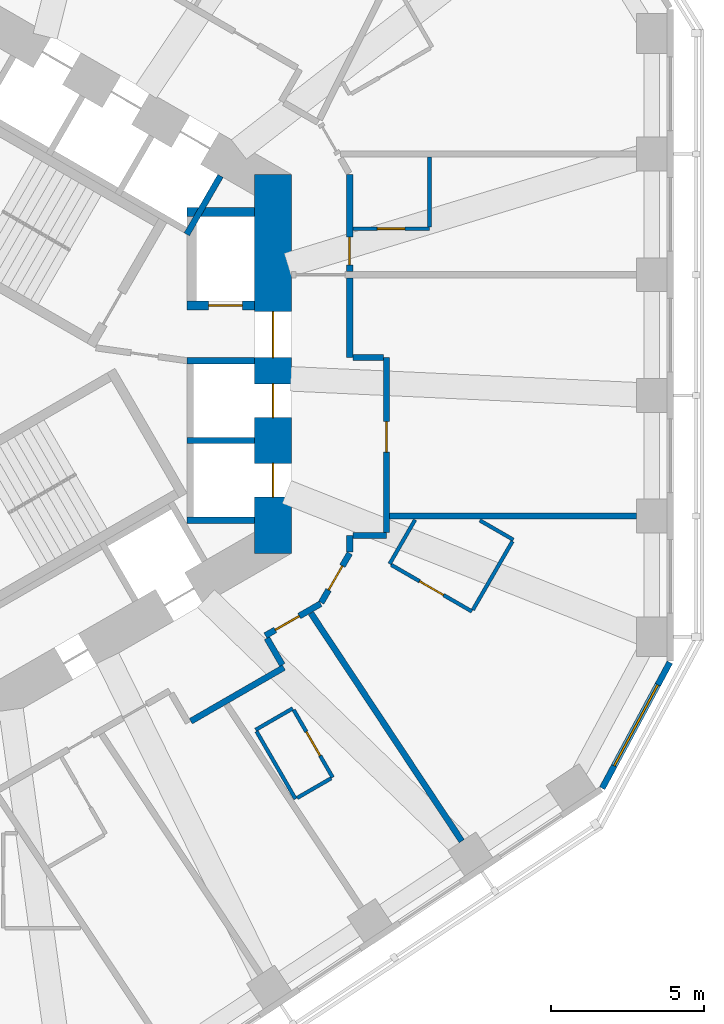
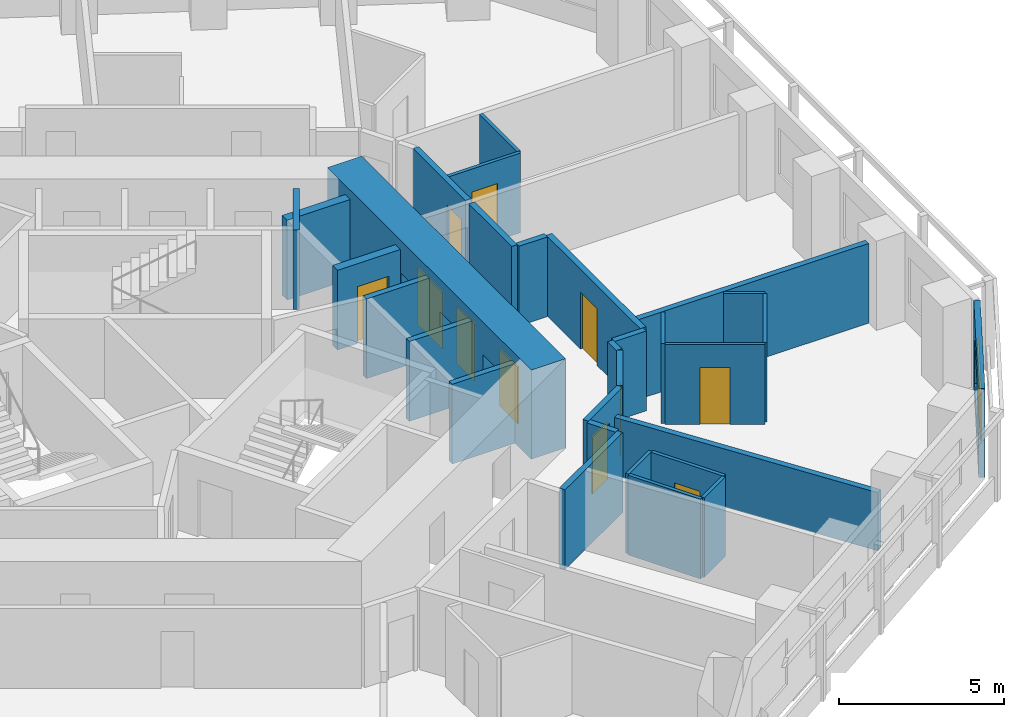
# One storey, part 6 of 12: 30 walls, 11 doors, 1 window, 12 openings.
"""IFC4 building model written with IfcOpenShell, lengths in metres."""

from ifc_helpers import new_model, si_unit, direction, frame, frame_2d, origin, place, context, subcontext, project, spatial, rectangle, extrude, material, layer, layer_set, type_object, element, fill, save


model = new_model("IFC4")

# Units and contexts
model_context = context("Model", 3, precision=1e-05, world=origin(), true_north=direction((0.0, 1.0)))
body_context = subcontext(model_context, "Body", "Model", "MODEL_VIEW")
ifc_project = project(units=[si_unit("LENGTHUNIT", "METRE"), si_unit("AREAUNIT", "SQUARE_METRE"), si_unit("VOLUMEUNIT", "CUBIC_METRE"), si_unit("PLANEANGLEUNIT", "RADIAN"), si_unit("MASSUNIT", "GRAM", prefix="KILO")], contexts=[model_context])

# Site, building, storey
site_placement = place(None, origin())
site = spatial("IfcSite", under=ifc_project, at=site_placement, CompositionType="ELEMENT")
building_placement = place(site_placement, origin())
building = spatial("IfcBuilding", under=site, at=building_placement, Name="Vanh Sen Convention Tower", CompositionType="ELEMENT")
storey_placement = place(building_placement, frame((0.0, 0.0, 116.60009765625)))
storey = spatial("IfcBuildingStorey", under=building, at=storey_placement, Name="L28", CompositionType="ELEMENT", Elevation=116.60009765625)

# Wall
ifc_material_1 = material(Name="Moisture-resistant gypsum board on steel studs", Category="steel")
ifc_layer_1 = layer(ifc_material_1, 0.1201171875)
ifc_layer_set_1 = layer_set([ifc_layer_1], Name="Moisture-resistant gypsum board on steel studs")
wall_type_1 = type_object("IfcWallType", Name="Bathroom partition 120", PredefinedType="PARTITIONING", material=ifc_layer_set_1)
wall_1_placement = place(storey_placement, frame((9.532470703125, -11.93359375, 0.0), z_axis=(0.0, 0.0, 1.0), x_axis=(0.866034573852, 0.49998411664, 0.0)))
element("IfcWall", 1, at=wall_1_placement, inside=storey, type_object=wall_type_1, Name="Bathroom partition 120", PredefinedType="PARTITIONING", context=body_context, shape_type="SweptSolid", body=[
    extrude(rectangle(XDim=1.39990234375, YDim=0.1201171875, at=frame_2d((0.699951171875, 0.0))), origin(), (0.0, 0.0, 1.0), 2.949951171875),
])

# Wall, opening, door
wall_2_placement = place(storey_placement, frame((10.77490234375, -11.28564453125, 0.0), z_axis=(0.0, 0.0, 1.0), x_axis=(0.500046963369, -0.865998287773, 0.0)))
wall_2 = element("IfcWall", 2, at=wall_2_placement, inside=storey, type_object=wall_type_1, Name="Bathroom partition 120", PredefinedType="PARTITIONING", context=body_context, shape_type="SweptSolid", body=[
    extrude(rectangle(XDim=2.539794921875, YDim=0.1201171875, at=frame_2d((1.27001953125, 0.0))), origin(), (0.0, 0.0, 1.0), 2.949951171875),
])
opening_1_placement = place(wall_2_placement, frame((0.820068359375, 0.0, 0.0)))
opening_1 = element("IfcOpeningElement", 3, at=opening_1_placement, cuts=wall_2, Name="Opening D27130", PredefinedType="OPENING", context=body_context, shape_type="SweptSolid", body=[
    extrude(rectangle(XDim=0.89990234375, YDim=2.10009765625, at=frame_2d((0.449951171875, 1.050048828125))), frame((0.0, 0.070068359375, 0.0), z_axis=(0.0, -1.0, 0.0), x_axis=(1.0, 0.0, 0.0)), (0.0, 0.0, 1.0), 0.14013671875),
])
ifc_material_2 = material(Name="Laminate door in steel frame", Category="steel")
door_type_1 = type_object("IfcDoorType", Name="En-suite door 900", OperationType="SINGLE_SWING_LEFT", PredefinedType="DOOR", material=ifc_material_2)
door_1_placement = place(opening_1_placement, origin())
door_1 = element("IfcDoor", 4, at=door_1_placement, inside=storey, type_object=door_type_1, Name="En-suite door D27130", OperationType="SINGLE_SWING_LEFT", OverallHeight=2.10009765625, OverallWidth=0.89990234375, PredefinedType="DOOR", context=body_context, shape_type="SweptSolid", body=[
    extrude(rectangle(XDim=0.89990234375, YDim=2.10009765625, at=frame_2d((0.449951171875, 1.050048828125))), frame((0.0, 0.02490234375, 0.0), z_axis=(0.0, -1.0, 0.0), x_axis=(1.0, 0.0, 0.0)), (0.0, 0.0, 1.0), 0.050048828125),
])
fill(opening_1, door_1)

# Walls
wall_3_placement = place(storey_placement, frame((10.83251953125, -14.185302734375, 0.0), z_axis=(0.0, 0.0, 1.0), x_axis=(-0.500005339912, 0.866022320763, 0.0)))
element("IfcWall", 5, at=wall_3_placement, inside=storey, type_object=wall_type_1, Name="Bathroom partition 120", PredefinedType="PARTITIONING", context=body_context, shape_type="SweptSolid", body=[
    extrude(rectangle(XDim=2.5400390625, YDim=0.1201171875, at=frame_2d((1.27001953125, 0.0))), origin(), (0.0, 0.0, 1.0), 2.949951171875),
])
wall_4_placement = place(storey_placement, frame((11.992919921875, -13.51513671875, 0.0), z_axis=(0.0, 0.0, 1.0), x_axis=(-0.865956862152, -0.500118698802, 0.0)))
element("IfcWall", 6, at=wall_4_placement, inside=storey, type_object=wall_type_1, Name="Bathroom partition 120", PredefinedType="PARTITIONING", context=body_context, shape_type="SweptSolid", body=[
    extrude(rectangle(XDim=1.280029296875, YDim=0.1201171875, at=frame_2d((0.64013671875, 0.0))), origin(), (0.0, 0.0, 1.0), 2.949951171875),
])
wall_5_placement = place(storey_placement, frame((13.90087890625, -6.5244140625, 0.0), z_axis=(0.0, 0.0, 1.0), x_axis=(0.499964162598, 0.86604609353, 0.0)))
element("IfcWall", 7, at=wall_5_placement, inside=storey, type_object=wall_type_1, Name="Bathroom partition 120", PredefinedType="PARTITIONING", context=body_context, shape_type="SweptSolid", body=[
    extrude(rectangle(XDim=1.6611328125, YDim=0.1201171875, at=frame_2d((0.83056640625, 0.0))), origin(), (0.0, 0.0, 1.0), 2.949951171875),
])

# Wall, opening, door
wall_6_placement = place(storey_placement, frame((15.199951171875, 4.404541015625, 0.0), z_axis=(0.0, 0.0, 1.0), x_axis=(-1.0, 0.0, 0.0)))
wall_6 = element("IfcWall", 8, at=wall_6_placement, inside=storey, type_object=wall_type_1, Name="Bathroom partition 120", PredefinedType="PARTITIONING", context=body_context, shape_type="SweptSolid", body=[
    extrude(rectangle(XDim=2.5, YDim=0.1201171875, at=frame_2d((1.25, 0.0))), origin(), (0.0, 0.0, 1.0), 2.949951171875),
])
opening_2_placement = place(wall_6_placement, frame((0.800048828125, 0.0, 0.0)))
opening_2 = element("IfcOpeningElement", 9, at=opening_2_placement, cuts=wall_6, Name="Opening D27103", PredefinedType="OPENING", context=body_context, shape_type="SweptSolid", body=[
    extrude(rectangle(XDim=0.89990234375, YDim=2.10009765625, at=frame_2d((0.449951171875, 1.050048828125))), frame((0.0, 0.070068359375, 0.0), z_axis=(0.0, -1.0, 0.0), x_axis=(1.0, 0.0, 0.0)), (0.0, 0.0, 1.0), 0.14013671875),
])
door_2_placement = place(opening_2_placement, origin())
door_2 = element("IfcDoor", 10, at=door_2_placement, inside=storey, type_object=door_type_1, Name="En-suite door D27103", OperationType="SINGLE_SWING_LEFT", OverallHeight=2.10009765625, OverallWidth=0.89990234375, PredefinedType="DOOR", context=body_context, shape_type="SweptSolid", body=[
    extrude(rectangle(XDim=0.89990234375, YDim=2.10009765625, at=frame_2d((0.449951171875, 1.050048828125))), frame((0.0, 0.02490234375, 0.0), z_axis=(0.0, -1.0, 0.0), x_axis=(1.0, 0.0, 0.0)), (0.0, 0.0, 1.0), 0.050048828125),
])
fill(opening_2, door_2)

# Wall
wall_7_placement = place(storey_placement, frame((15.199951171875, 6.739013671875, 0.0), z_axis=(0.0, 0.0, 1.0), x_axis=(0.0, -1.0, 0.0)))
element("IfcWall", 11, at=wall_7_placement, inside=storey, type_object=wall_type_1, Name="Bathroom partition 120", PredefinedType="PARTITIONING", context=body_context, shape_type="SweptSolid", body=[
    extrude(rectangle(XDim=2.2744140625, YDim=0.1201171875, at=frame_2d((1.13720703125, 0.0))), origin(), (0.0, 0.0, 1.0), 2.949951171875),
])

# Wall, opening, door
wall_8_placement = place(storey_placement, frame((16.58544921875, -8.074462890625, 0.0), z_axis=(0.0, 0.0, 1.0), x_axis=(-0.86601037836, 0.500026023896, 0.0)))
wall_8 = element("IfcWall", 12, at=wall_8_placement, inside=storey, type_object=wall_type_1, Name="Bathroom partition 120", PredefinedType="PARTITIONING", context=body_context, shape_type="SweptSolid", body=[
    extrude(rectangle(XDim=3.039794921875, YDim=0.1201171875, at=frame_2d((1.52001953125, 0.0))), origin(), (0.0, 0.0, 1.0), 2.949951171875),
])
opening_3_placement = place(wall_8_placement, frame((1.070068359375, 0.0, 0.0)))
opening_3 = element("IfcOpeningElement", 13, at=opening_3_placement, cuts=wall_8, Name="Opening D27132", PredefinedType="OPENING", context=body_context, shape_type="SweptSolid", body=[
    extrude(rectangle(XDim=0.89990234375, YDim=2.10009765625, at=frame_2d((0.449951171875, 1.050048828125))), frame((0.0, 0.070068359375, 0.0), z_axis=(0.0, -1.0, 0.0), x_axis=(1.0, 0.0, 0.0)), (0.0, 0.0, 1.0), 0.14013671875),
])
door_3_placement = place(opening_3_placement, origin())
door_3 = element("IfcDoor", 14, at=door_3_placement, inside=storey, type_object=door_type_1, Name="En-suite door D27132", OperationType="SINGLE_SWING_LEFT", OverallHeight=2.10009765625, OverallWidth=0.89990234375, PredefinedType="DOOR", context=body_context, shape_type="SweptSolid", body=[
    extrude(rectangle(XDim=0.89990234375, YDim=2.10009765625, at=frame_2d((0.449951171875, 1.050048828125))), frame((0.0, 0.02490234375, 0.0), z_axis=(0.0, -1.0, 0.0), x_axis=(1.0, 0.0, 0.0)), (0.0, 0.0, 1.0), 0.050048828125),
])
fill(opening_3, door_3)

# Walls
wall_9_placement = place(storey_placement, frame((16.84130859375, -5.1044921875, 0.0), z_axis=(0.0, 0.0, 1.0), x_axis=(0.865998956469, -0.500045805297, 0.0)))
element("IfcWall", 15, at=wall_9_placement, inside=storey, type_object=wall_type_1, Name="Bathroom partition 120", PredefinedType="PARTITIONING", context=body_context, shape_type="SweptSolid", body=[
    extrude(rectangle(XDim=1.263671875, YDim=0.1201171875, at=frame_2d((0.6318359375, 0.0))), origin(), (0.0, 0.0, 1.0), 2.949951171875),
])
wall_10_placement = place(storey_placement, frame((17.905517578125, -5.788330078125, 0.0), z_axis=(0.0, 0.0, 1.0), x_axis=(-0.500047388771, -0.865998042136, 0.0)))
element("IfcWall", 16, at=wall_10_placement, inside=storey, type_object=wall_type_1, Name="Bathroom partition 120", PredefinedType="PARTITIONING", context=body_context, shape_type="SweptSolid", body=[
    extrude(rectangle(XDim=2.579833984375, YDim=0.1201171875, at=frame_2d((1.2900390625, 0.0))), origin(), (0.0, 0.0, 1.0), 2.949951171875),
])

# Wall, openings, doors
ifc_material_3 = material(Name="Concrete C80/95", Category="concrete")
ifc_layer_2 = layer(ifc_material_3, 1.199951171875)
ifc_layer_set_2 = layer_set([ifc_layer_2], Name="Concrete C80/95")
wall_type_2 = type_object("IfcWallType", Name="Core outer wall 1200 C80/95", PredefinedType="SHEAR", material=ifc_layer_set_2)
wall_11_placement = place(storey_placement, frame((10.10009765625, -6.177490234375, 0.0), z_axis=(0.0, 0.0, 1.0), x_axis=(0.0, 1.0, 0.0)))
wall_11 = element("IfcWall", 17, at=wall_11_placement, inside=storey, type_object=wall_type_2, Name="Core wall face E L28", PredefinedType="SHEAR", context=body_context, shape_type="SweptSolid", body=[
    extrude(rectangle(XDim=12.35498046875, YDim=1.199951171875, at=frame_2d((6.177490234375, 0.0))), origin(), (0.0, 0.0, 1.0), 3.2998046875),
])
opening_4_placement = place(wall_11_placement, frame((6.377685546875, 0.0, 0.0)))
opening_4 = element("IfcOpeningElement", 18, at=opening_4_placement, cuts=wall_11, Name="Opening D27001", PredefinedType="OPENING", context=body_context, shape_type="SweptSolid", body=[
    extrude(rectangle(XDim=1.5, YDim=2.10009765625, at=frame_2d((0.75, 1.050048828125))), frame((0.0, 0.60986328125, 0.0), z_axis=(0.0, -1.0, 0.0), x_axis=(1.0, 0.0, 0.0)), (0.0, 0.0, 1.0), 1.219970703125),
])
opening_5_placement = place(wall_11_placement, frame((1.82763671875, 0.0, 0.0)))
opening_5 = element("IfcOpeningElement", 19, at=opening_5_placement, cuts=wall_11, Name="Opening LD-LR1", PredefinedType="OPENING", context=body_context, shape_type="SweptSolid", body=[
    extrude(rectangle(XDim=1.10009765625, YDim=2.10009765625, at=frame_2d((0.550048828125, 1.050048828125))), frame((0.0, 0.60986328125, 0.0), z_axis=(0.0, -1.0, 0.0), x_axis=(1.0, 0.0, 0.0)), (0.0, 0.0, 1.0), 1.219970703125),
])
opening_6_placement = place(wall_11_placement, frame((4.427490234375, 0.0, 0.0)))
opening_6 = element("IfcOpeningElement", 20, at=opening_6_placement, cuts=wall_11, Name="Opening LD-LR2", PredefinedType="OPENING", context=body_context, shape_type="SweptSolid", body=[
    extrude(rectangle(XDim=1.10009765625, YDim=2.10009765625, at=frame_2d((0.550048828125, 1.050048828125))), frame((0.0, 0.60986328125, 0.0), z_axis=(0.0, -1.0, 0.0), x_axis=(1.0, 0.0, 0.0)), (0.0, 0.0, 1.0), 1.219970703125),
])
ifc_material_4 = material(Name="Stainless steel", Category="steel")
door_type_2 = type_object("IfcDoorType", Name="Lift landing door 1100", OperationType="DOUBLE_DOOR_SLIDING", PredefinedType="DOOR", material=ifc_material_4)
door_4_placement = place(opening_5_placement, origin())
door_4 = element("IfcDoor", 21, at=door_4_placement, inside=storey, type_object=door_type_2, Name="Lift LR1 landing door LD-LR1", OperationType="DOUBLE_DOOR_SLIDING", OverallHeight=2.10009765625, OverallWidth=1.10009765625, PredefinedType="DOOR", context=body_context, shape_type="SweptSolid", body=[
    extrude(rectangle(XDim=1.10009765625, YDim=2.10009765625, at=frame_2d((0.550048828125, 1.050048828125))), frame((0.0, 0.02490234375, 0.0), z_axis=(0.0, -1.0, 0.0), x_axis=(1.0, 0.0, 0.0)), (0.0, 0.0, 1.0), 0.050048828125),
])
fill(opening_5, door_4)
door_5_placement = place(opening_6_placement, origin())
door_5 = element("IfcDoor", 22, at=door_5_placement, inside=storey, type_object=door_type_2, Name="Lift LR2 landing door LD-LR2", OperationType="DOUBLE_DOOR_SLIDING", OverallHeight=2.10009765625, OverallWidth=1.10009765625, PredefinedType="DOOR", context=body_context, shape_type="SweptSolid", body=[
    extrude(rectangle(XDim=1.10009765625, YDim=2.10009765625, at=frame_2d((0.550048828125, 1.050048828125))), frame((0.0, 0.02490234375, 0.0), z_axis=(0.0, -1.0, 0.0), x_axis=(1.0, 0.0, 0.0)), (0.0, 0.0, 1.0), 0.050048828125),
])
fill(opening_6, door_5)
ifc_material_5 = material(Name="Steel S355", Category="steel")
door_type_3 = type_object("IfcDoorType", Name="Stair lobby door 1500", OperationType="DOUBLE_DOOR_SINGLE_SWING", PredefinedType="DOOR", material=ifc_material_5)
door_6_placement = place(opening_4_placement, origin())
door_6 = element("IfcDoor", 23, at=door_6_placement, inside=storey, type_object=door_type_3, Name="Stair lobby door D27001", OperationType="DOUBLE_DOOR_SINGLE_SWING", OverallHeight=2.10009765625, OverallWidth=1.5, PredefinedType="DOOR", context=body_context, shape_type="SweptSolid", body=[
    extrude(rectangle(XDim=1.5, YDim=2.10009765625, at=frame_2d((0.75, 1.050048828125))), frame((0.0, 0.02490234375, 0.0), z_axis=(0.0, -1.0, 0.0), x_axis=(1.0, 0.0, 0.0)), (0.0, 0.0, 1.0), 0.050048828125),
])
fill(opening_4, door_6)

# Wall
ifc_material_6 = material(Name="Gypsum board on steel studs with mineral wool", Category="steel")
ifc_layer_3 = layer(ifc_material_6, 0.199951171875)
ifc_layer_set_3 = layer_set([ifc_layer_3], Name="Gypsum board on steel studs with mineral wool")
wall_type_3 = type_object("IfcWallType", Name="Corridor partition wall 200", PredefinedType="PARTITIONING", material=ifc_layer_set_3)
wall_12_placement = place(storey_placement, frame((7.419189453125, -11.652587890625, 0.0), z_axis=(0.0, 0.0, 1.0), x_axis=(0.866038154057, 0.49997791523, 0.0)))
element("IfcWall", 24, at=wall_12_placement, inside=storey, type_object=wall_type_3, Name="Corridor partition wall 200", PredefinedType="PARTITIONING", context=body_context, shape_type="SweptSolid", body=[
    extrude(rectangle(XDim=3.502197265625, YDim=0.199951171875, at=frame_2d((1.7509765625, 0.0))), origin(), (0.0, 0.0, 1.0), 2.949951171875),
])

# Wall, opening, door
wall_13_placement = place(storey_placement, frame((9.8515625, -8.861328125, 0.0), z_axis=(0.0, 0.0, 1.0), x_axis=(0.866013291437, 0.500020978615, 0.0)))
wall_13 = element("IfcWall", 25, at=wall_13_placement, inside=storey, type_object=wall_type_3, Name="Corridor partition wall 200", PredefinedType="PARTITIONING", context=body_context, shape_type="SweptSolid", body=[
    extrude(rectangle(XDim=2.07666015625, YDim=0.199951171875, at=frame_2d((1.038330078125, 0.0))), origin(), (0.0, 0.0, 1.0), 2.949951171875),
])
opening_7_placement = place(wall_13_placement, frame((0.37158203125, 0.0, 0.0)))
opening_7 = element("IfcOpeningElement", 26, at=opening_7_placement, cuts=wall_13, Name="Opening D27129", PredefinedType="OPENING", context=body_context, shape_type="SweptSolid", body=[
    extrude(rectangle(XDim=0.89990234375, YDim=2.10009765625, at=frame_2d((0.449951171875, 1.050048828125))), frame((0.0, 0.10986328125, 0.0), z_axis=(0.0, -1.0, 0.0), x_axis=(1.0, 0.0, 0.0)), (0.0, 0.0, 1.0), 0.219970703125),
])
ifc_material_7 = material(Name="Timber fire door in steel frame", Category="steel")
door_type_4 = type_object("IfcDoorType", Name="Guest room door 900", OperationType="SINGLE_SWING_LEFT", PredefinedType="DOOR", material=ifc_material_7)
door_7_placement = place(opening_7_placement, origin())
door_7 = element("IfcDoor", 27, at=door_7_placement, inside=storey, type_object=door_type_4, Name="Hotel guest room door D27129", OperationType="SINGLE_SWING_LEFT", OverallHeight=2.10009765625, OverallWidth=0.89990234375, PredefinedType="DOOR", context=body_context, shape_type="SweptSolid", body=[
    extrude(rectangle(XDim=0.89990234375, YDim=2.10009765625, at=frame_2d((0.449951171875, 1.050048828125))), frame((0.0, 0.02490234375, 0.0), z_axis=(0.0, -1.0, 0.0), x_axis=(1.0, 0.0, 0.0)), (0.0, 0.0, 1.0), 0.050048828125),
])
fill(opening_7, door_7)

# Wall
wall_14_placement = place(storey_placement, frame((10.402099609375, -9.81494140625, 0.0), z_axis=(0.0, 0.0, 1.0), x_axis=(-0.499968756647, 0.866043441391, 0.0)))
element("IfcWall", 28, at=wall_14_placement, inside=storey, type_object=wall_type_3, Name="Corridor partition wall 200", PredefinedType="PARTITIONING", context=body_context, shape_type="SweptSolid", body=[
    extrude(rectangle(XDim=1.0009765625, YDim=0.199951171875, at=frame_2d((0.50048828125, 0.0))), origin(), (0.0, 0.0, 1.0), 2.949951171875),
])

# Wall, opening, door
wall_15_placement = place(storey_placement, frame((11.669921875, -7.788330078125, 0.0), z_axis=(0.0, 0.0, 1.0), x_axis=(0.500063286585, 0.865988862174, 0.0)))
wall_15 = element("IfcWall", 29, at=wall_15_placement, inside=storey, type_object=wall_type_3, Name="Corridor partition wall 200", PredefinedType="PARTITIONING", context=body_context, shape_type="SweptSolid", body=[
    extrude(rectangle(XDim=1.860107421875, YDim=0.199951171875, at=frame_2d((0.93017578125, 0.0))), origin(), (0.0, 0.0, 1.0), 2.949951171875),
])
opening_8_placement = place(wall_15_placement, frame((0.47998046875, 0.0, 0.0)))
opening_8 = element("IfcOpeningElement", 30, at=opening_8_placement, cuts=wall_15, Name="Opening D27131", PredefinedType="OPENING", context=body_context, shape_type="SweptSolid", body=[
    extrude(rectangle(XDim=0.89990234375, YDim=2.10009765625, at=frame_2d((0.449951171875, 1.050048828125))), frame((0.0, 0.10986328125, 0.0), z_axis=(0.0, -1.0, 0.0), x_axis=(1.0, 0.0, 0.0)), (0.0, 0.0, 1.0), 0.219970703125),
])
door_8_placement = place(opening_8_placement, origin())
door_8 = element("IfcDoor", 31, at=door_8_placement, inside=storey, type_object=door_type_4, Name="Hotel guest room door D27131", OperationType="SINGLE_SWING_LEFT", OverallHeight=2.10009765625, OverallWidth=0.89990234375, PredefinedType="DOOR", context=body_context, shape_type="SweptSolid", body=[
    extrude(rectangle(XDim=0.89990234375, YDim=2.10009765625, at=frame_2d((0.449951171875, 1.050048828125))), frame((0.0, 0.02490234375, 0.0), z_axis=(0.0, -1.0, 0.0), x_axis=(1.0, 0.0, 0.0)), (0.0, 0.0, 1.0), 0.050048828125),
])
fill(opening_8, door_8)

# Walls
wall_16_placement = place(storey_placement, frame((12.60009765625, -6.1376953125, 0.0), z_axis=(0.0, 0.0, 1.0), x_axis=(0.0, 1.0, 0.0)))
element("IfcWall", 32, at=wall_16_placement, inside=storey, type_object=wall_type_3, Name="Corridor partition wall 200", PredefinedType="PARTITIONING", context=body_context, shape_type="SweptSolid", body=[
    extrude(rectangle(XDim=0.53662109375, YDim=0.199951171875, at=frame_2d((0.268310546875, 0.0))), origin(), (0.0, 0.0, 1.0), 2.949951171875),
])
wall_17_placement = place(storey_placement, frame((12.60009765625, 0.200927734375, 0.0), z_axis=(0.0, 0.0, 1.0), x_axis=(0.0, 1.0, 0.0)))
element("IfcWall", 33, at=wall_17_placement, inside=storey, type_object=wall_type_3, Name="Corridor partition wall 200", PredefinedType="PARTITIONING", context=body_context, shape_type="SweptSolid", body=[
    extrude(rectangle(XDim=2.603515625, YDim=0.199951171875, at=frame_2d((1.3017578125, 0.0))), origin(), (0.0, 0.0, 1.0), 2.949951171875),
])

# Wall, opening, door
wall_18_placement = place(storey_placement, frame((12.60009765625, 3.00439453125, 0.0), z_axis=(0.0, 0.0, 1.0), x_axis=(0.0, 1.0, 0.0)))
wall_18 = element("IfcWall", 34, at=wall_18_placement, inside=storey, type_object=wall_type_3, Name="Corridor partition wall 200", PredefinedType="PARTITIONING", context=body_context, shape_type="SweptSolid", body=[
    extrude(rectangle(XDim=3.173095703125, YDim=0.199951171875, at=frame_2d((1.58642578125, 0.0))), origin(), (0.0, 0.0, 1.0), 2.949951171875),
])
opening_9_placement = place(wall_18_placement, frame((0.22509765625, 0.0, 0.0)))
opening_9 = element("IfcOpeningElement", 35, at=opening_9_placement, cuts=wall_18, Name="Opening D27102", PredefinedType="OPENING", context=body_context, shape_type="SweptSolid", body=[
    extrude(rectangle(XDim=0.89990234375, YDim=2.10009765625, at=frame_2d((0.449951171875, 1.050048828125))), frame((0.0, 0.10986328125, 0.0), z_axis=(0.0, -1.0, 0.0), x_axis=(1.0, 0.0, 0.0)), (0.0, 0.0, 1.0), 0.219970703125),
])
door_9_placement = place(opening_9_placement, origin())
door_9 = element("IfcDoor", 36, at=door_9_placement, inside=storey, type_object=door_type_4, Name="Hotel guest room door D27102", OperationType="SINGLE_SWING_LEFT", OverallHeight=2.10009765625, OverallWidth=0.89990234375, PredefinedType="DOOR", context=body_context, shape_type="SweptSolid", body=[
    extrude(rectangle(XDim=0.89990234375, YDim=2.10009765625, at=frame_2d((0.449951171875, 1.050048828125))), frame((0.0, 0.02490234375, 0.0), z_axis=(0.0, -1.0, 0.0), x_axis=(1.0, 0.0, 0.0)), (0.0, 0.0, 1.0), 0.050048828125),
])
fill(opening_9, door_9)

# Walls
wall_19_placement = place(storey_placement, frame((12.699951171875, -5.60107421875, 0.0), z_axis=(0.0, 0.0, 1.0), x_axis=(1.0, 0.0, 0.0)))
element("IfcWall", 37, at=wall_19_placement, inside=storey, type_object=wall_type_3, Name="Corridor partition wall 200", PredefinedType="PARTITIONING", context=body_context, shape_type="SweptSolid", body=[
    extrude(rectangle(XDim=1.10107421875, YDim=0.199951171875, at=frame_2d((0.550537109375, 0.0))), origin(), (0.0, 0.0, 1.0), 2.949951171875),
])
wall_20_placement = place(storey_placement, frame((13.700927734375, 0.200927734375, 0.0), z_axis=(0.0, 0.0, 1.0), x_axis=(-1.0, 0.0, 0.0)))
element("IfcWall", 38, at=wall_20_placement, inside=storey, type_object=wall_type_3, Name="Corridor partition wall 200", PredefinedType="PARTITIONING", context=body_context, shape_type="SweptSolid", body=[
    extrude(rectangle(XDim=1.0009765625, YDim=0.199951171875, at=frame_2d((0.50048828125, 0.0))), origin(), (0.0, 0.0, 1.0), 2.949951171875),
])

# Wall, opening, door
wall_21_placement = place(storey_placement, frame((13.801025390625, -5.5009765625, 0.0), z_axis=(0.0, 0.0, 1.0), x_axis=(0.0, 1.0, 0.0)))
wall_21 = element("IfcWall", 39, at=wall_21_placement, inside=storey, type_object=wall_type_3, Name="Corridor partition wall 200", PredefinedType="PARTITIONING", context=body_context, shape_type="SweptSolid", body=[
    extrude(rectangle(XDim=5.701904296875, YDim=0.199951171875, at=frame_2d((2.85107421875, 0.0))), origin(), (0.0, 0.0, 1.0), 2.949951171875),
])
opening_10_placement = place(wall_21_placement, frame((2.619140625, 0.0, 0.0)))
opening_10 = element("IfcOpeningElement", 40, at=opening_10_placement, cuts=wall_21, Name="Opening D27101", PredefinedType="OPENING", context=body_context, shape_type="SweptSolid", body=[
    extrude(rectangle(XDim=1.0, YDim=2.10009765625, at=frame_2d((0.5, 1.050048828125))), frame((0.0, 0.10986328125, 0.0), z_axis=(0.0, -1.0, 0.0), x_axis=(1.0, 0.0, 0.0)), (0.0, 0.0, 1.0), 0.219970703125),
])
door_type_5 = type_object("IfcDoorType", Name="Floor room door 1000", OperationType="SINGLE_SWING_LEFT", PredefinedType="DOOR", material=ifc_material_7)
door_10_placement = place(opening_10_placement, origin())
door_10 = element("IfcDoor", 41, at=door_10_placement, inside=storey, type_object=door_type_5, Name="Meeting and amenity room door D27101", OperationType="SINGLE_SWING_LEFT", OverallHeight=2.10009765625, OverallWidth=1.0, PredefinedType="DOOR", context=body_context, shape_type="SweptSolid", body=[
    extrude(rectangle(XDim=1.0, YDim=2.10009765625, at=frame_2d((0.5, 1.050048828125))), frame((0.0, 0.02490234375, 0.0), z_axis=(0.0, -1.0, 0.0), x_axis=(1.0, 0.0, 0.0)), (0.0, 0.0, 1.0), 0.050048828125),
])
fill(opening_10, door_10)

# Wall, opening, window
ifc_material_8 = material(Name="Insulated lightweight infill wall")
ifc_layer_4 = layer(ifc_material_8, 0.199951171875)
ifc_layer_set_4 = layer_set([ifc_layer_4], Name="Insulated lightweight infill wall")
wall_type_4 = type_object("IfcWallType", Name="External wall 200", PredefinedType="STANDARD", material=ifc_layer_set_4)
wall_22_placement = place(storey_placement, frame((20.83251953125, -13.838623046875, 0.0), z_axis=(0.0, 0.0, 1.0), x_axis=(0.473321668581, 0.880889662813, 0.0)))
wall_22 = element("IfcWall", 42, at=wall_22_placement, inside=storey, type_object=wall_type_4, Name="External wall CH6 L28", PredefinedType="STANDARD", context=body_context, shape_type="SweptSolid", body=[
    extrude(rectangle(XDim=4.65966796875, YDim=0.199951171875, at=frame_2d((2.329833984375, 0.0))), origin(), (0.0, 0.0, 1.0), 3.2998046875),
])
opening_11_placement = place(wall_22_placement, frame((0.829833984375, 0.0, 0.800048828125)))
opening_11 = element("IfcOpeningElement", 43, at=opening_11_placement, cuts=wall_22, Name="Opening WH2-CH61", PredefinedType="OPENING", context=body_context, shape_type="SweptSolid", body=[
    extrude(rectangle(XDim=3.0, YDim=1.699951171875, at=frame_2d((1.5, 0.85009765625))), frame((0.0, 0.10986328125, 0.0), z_axis=(0.0, -1.0, 0.0), x_axis=(1.0, 0.0, 0.0)), (0.0, 0.0, 1.0), 0.219970703125),
])
ifc_material_9 = material(Name="Aluminium frame with clear low-emissivity glass", Category="aluminium")
window_type = type_object("IfcWindowType", Name="Hotel window 3000 x 1700", PartitioningType="SINGLE_PANEL", PredefinedType="WINDOW", material=ifc_material_9)
window_placement = place(opening_11_placement, origin())
window = element("IfcWindow", 44, at=window_placement, inside=storey, type_object=window_type, Name="Window WH2-CH61", OverallHeight=1.699951171875, OverallWidth=3.0, PartitioningType="SINGLE_PANEL", PredefinedType="WINDOW", context=body_context, shape_type="SweptSolid", body=[
    extrude(rectangle(XDim=3.0, YDim=1.699951171875, at=frame_2d((1.5, 0.85009765625))), frame((0.0, 0.030029296875, 0.0), z_axis=(0.0, -1.0, 0.0), x_axis=(1.0, 0.0, 0.0)), (0.0, 0.0, 1.0), 0.06005859375),
])
fill(opening_11, window)

# Wall, opening, door
ifc_material_10 = material(Name="Concrete C60/75", Category="concrete")
ifc_layer_5 = layer(ifc_material_10, 0.300048828125)
ifc_layer_set_5 = layer_set([ifc_layer_5], Name="Concrete C60/75")
wall_type_5 = type_object("IfcWallType", Name="Fire-fighting lift shaft wall 300", PredefinedType="SHEAR", material=ifc_layer_set_5)
wall_23_placement = place(storey_placement, frame((7.300048828125, 1.89990234375, 0.0), z_axis=(0.0, 0.0, 1.0), x_axis=(1.0, 0.0, 0.0)))
wall_23 = element("IfcWall", 45, at=wall_23_placement, inside=storey, type_object=wall_type_5, Name="Fire-fighting lift shaft wall L28", PredefinedType="SHEAR", context=body_context, shape_type="SweptSolid", body=[
    extrude(rectangle(XDim=2.199951171875, YDim=0.300048828125, at=frame_2d((1.10009765625, 0.0))), origin(), (0.0, 0.0, 1.0), 2.949951171875),
])
opening_12_placement = place(wall_23_placement, frame((0.699951171875, 0.0, 0.0)))
opening_12 = element("IfcOpeningElement", 46, at=opening_12_placement, cuts=wall_23, Name="Opening LD-FF1", PredefinedType="OPENING", context=body_context, shape_type="SweptSolid", body=[
    extrude(rectangle(XDim=1.10009765625, YDim=2.10009765625, at=frame_2d((0.550048828125, 1.050048828125))), frame((0.0, 0.159912109375, 0.0), z_axis=(0.0, -1.0, 0.0), x_axis=(1.0, 0.0, 0.0)), (0.0, 0.0, 1.0), 0.320068359375),
])
door_type_6 = type_object("IfcDoorType", Name="Fire-fighting lift landing door 1100", OperationType="DOUBLE_DOOR_SLIDING", PredefinedType="DOOR", material=ifc_material_4)
door_11_placement = place(opening_12_placement, origin())
door_11 = element("IfcDoor", 47, at=door_11_placement, inside=storey, type_object=door_type_6, Name="Lift FF1 landing door LD-FF1", OperationType="DOUBLE_DOOR_SLIDING", OverallHeight=2.10009765625, OverallWidth=1.10009765625, PredefinedType="DOOR", context=body_context, shape_type="SweptSolid", body=[
    extrude(rectangle(XDim=1.10009765625, YDim=2.10009765625, at=frame_2d((0.550048828125, 1.050048828125))), frame((0.0, 0.02490234375, 0.0), z_axis=(0.0, -1.0, 0.0), x_axis=(1.0, 0.0, 0.0)), (0.0, 0.0, 1.0), 0.050048828125),
])
fill(opening_12, door_11)

# Walls
wall_24_placement = place(storey_placement, frame((7.300048828125, 4.949951171875, 0.0), z_axis=(0.0, 0.0, 1.0), x_axis=(1.0, 0.0, 0.0)))
element("IfcWall", 48, at=wall_24_placement, inside=storey, type_object=wall_type_5, Name="Fire-fighting lift shaft wall L28", PredefinedType="SHEAR", context=body_context, shape_type="SweptSolid", body=[
    extrude(rectangle(XDim=2.199951171875, YDim=0.300048828125, at=frame_2d((1.10009765625, 0.0))), origin(), (0.0, 0.0, 1.0), 2.949951171875),
])
ifc_layer_6 = layer(ifc_material_6, 0.199951171875)
ifc_layer_set_6 = layer_set([ifc_layer_6], Name="Gypsum board on steel studs with mineral wool")
wall_type_6 = type_object("IfcWallType", Name="Hotel party wall 200", PredefinedType="PARTITIONING", material=ifc_layer_set_6)
wall_25_placement = place(storey_placement, frame((13.90087890625, -4.964599609375, 0.0), z_axis=(0.0, 0.0, 1.0), x_axis=(1.0, 0.0, 0.0)))
element("IfcWall", 49, at=wall_25_placement, inside=storey, type_object=wall_type_6, Name="Hotel party wall 200", PredefinedType="PARTITIONING", context=body_context, shape_type="SweptSolid", body=[
    extrude(rectangle(XDim=8.049072265625, YDim=0.199951171875, at=frame_2d((4.0244140625, 0.0))), origin(), (0.0, 0.0, 1.0), 2.949951171875),
])
wall_26_placement = place(storey_placement, frame((16.2548828125, -15.563720703125, 0.0), z_axis=(0.0, 0.0, 1.0), x_axis=(-0.55192208744, 0.833895682562, 0.0)))
element("IfcWall", 50, at=wall_26_placement, inside=storey, type_object=wall_type_6, Name="Hotel party wall 200", PredefinedType="PARTITIONING", context=body_context, shape_type="SweptSolid", body=[
    extrude(rectangle(XDim=8.912841796875, YDim=0.199951171875, at=frame_2d((4.45654296875, 0.0))), origin(), (0.0, 0.0, 1.0), 2.14990234375),
])
ifc_material_11 = material(Name="Concrete C40/50", Category="concrete")
ifc_layer_7 = layer(ifc_material_11, 0.199951171875)
ifc_layer_set_7 = layer_set([ifc_layer_7], Name="Concrete C40/50")
wall_type_7 = type_object("IfcWallType", Name="Lift shaft wall 200", PredefinedType="PARTITIONING", material=ifc_layer_set_7)
for number, where, z_axis, x_axis, name in (
    (51, (7.300048828125, -5.10009765625, 0.0), (0.0, 0.0, 1.0), (1.0, 0.0, 0.0), "Lift shaft wall L28"),
    (52, (7.300048828125, -2.5, 0.0), (0.0, 0.0, 1.0), (1.0, 0.0, 0.0), "Lift shaft wall L28"),
    (53, (7.300048828125, 0.10009765625, 0.0), (0.0, 0.0, 1.0), (1.0, 0.0, 0.0), "Lift shaft wall L28"),
    (54, (7.287353515625, 4.221923828125, 0.0), (0.0, 0.0, 1.0), (0.499946605688, 0.86605622881, 0.0), "Lift shaft wall L28"),
):
    element("IfcWall", number, at=place(storey_placement, frame(where, z_axis=z_axis, x_axis=x_axis)), inside=storey, type_object=wall_type_7, Name=name, PredefinedType="PARTITIONING", context=body_context, shape_type="SweptSolid", body=[
        extrude(rectangle(XDim=2.199951171875, YDim=0.199951171875, at=frame_2d((1.10009765625, 0.0))), origin(), (0.0, 0.0, 1.0), 2.949951171875),
    ])

save(model, "model.ifc")
